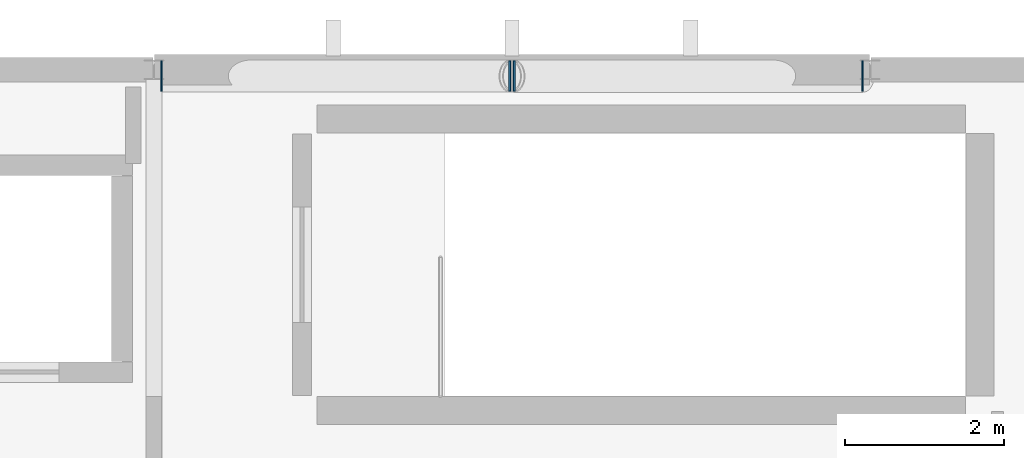
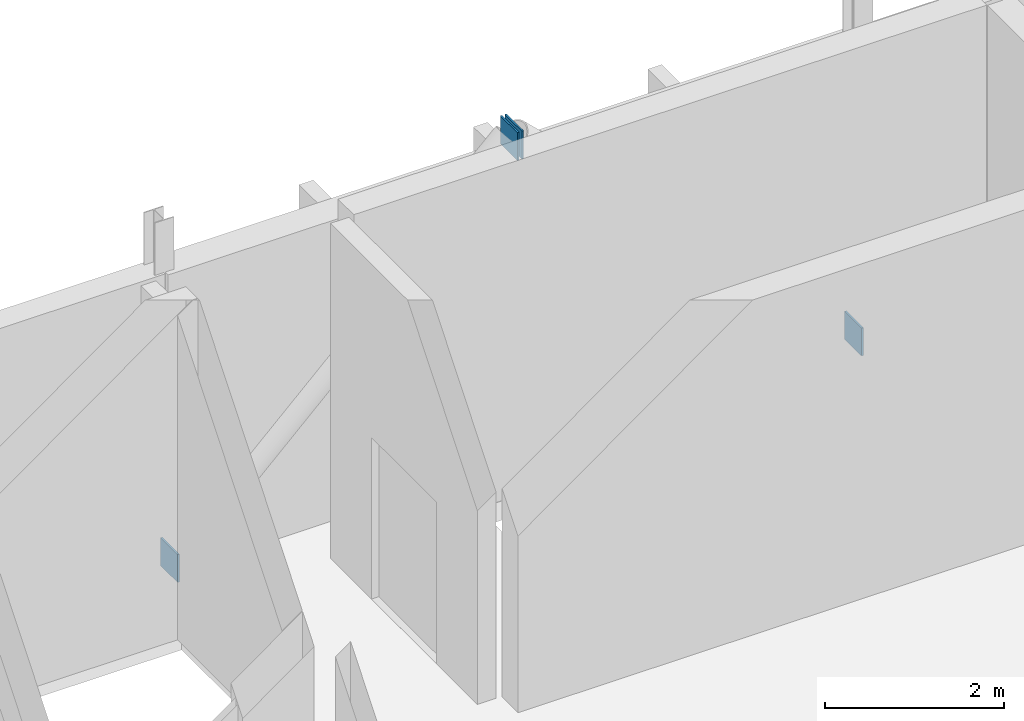
# One storey, part 10 of 14: 4 plates.
"""IFC4 building model written with IfcOpenShell, lengths in metres."""

from ifc_helpers import new_model, si_unit, direction, frame, origin, origin_2d, place, context, subcontext, project, spatial, rectangle, extrude, material, layer, layer_set, type_object, element, save


model = new_model("IFC4")

# Units and contexts
model_context = context("Model", 3, precision=1e-05, world=origin(), true_north=direction((0.0, 1.0)))
body_context = subcontext(model_context, "Body", "Model", "MODEL_VIEW")
ifc_project = project(units=[si_unit("LENGTHUNIT", "METRE"), si_unit("AREAUNIT", "SQUARE_METRE"), si_unit("VOLUMEUNIT", "CUBIC_METRE"), si_unit("PLANEANGLEUNIT", "RADIAN"), si_unit("MASSUNIT", "GRAM", prefix="KILO")], contexts=[model_context])

# Site, building, storey
site_placement = place(None, origin())
site = spatial("IfcSite", under=ifc_project, at=site_placement, CompositionType="ELEMENT")
building_placement = place(site_placement, origin())
building = spatial("IfcBuilding", under=site, at=building_placement, Name="Shengluoqiao Park Theatre", CompositionType="ELEMENT")
storey_placement = place(building_placement, frame((0.0, 0.0, 23.800048828125)))
storey = spatial("IfcBuildingStorey", under=building, at=storey_placement, Name="L05", CompositionType="ELEMENT", Elevation=23.800048828125)

# Plates
ifc_material = material(Name="Steel Q390", Category="steel")
ifc_layer = layer(ifc_material, 0.02392578125, Name="Steel Q390")
ifc_layer_set = layer_set([ifc_layer], Name="Steel Q390")
plate_type = type_object("IfcPlateType", Name="STR-PLT-EC-360", PredefinedType="SHEET", material=ifc_layer_set)
for number, where, z_axis, x_axis, name in (
    (1, (130.49658203125, 113.919921875, -0.07763671875), (0.0, 0.0, 1.0), (1.0, 0.0, 0.0), "Hollow Tube End Cap Plate 00164"),
    (2, (134.87109375, 113.919921875, 4.1337890625), (0.0, 0.0, 1.0), (1.0, 0.0, 0.0), "Hollow Tube End Cap Plate 00165"),
    (3, (139.303466796875, 113.919921875, -0.07763671875), (0.0, 0.0, 1.0), (-1.0, 0.0, 0.0), "Hollow Tube End Cap Plate 00166"),
    (4, (134.928955078125, 113.919921875, 4.1337890625), (0.0, 0.0, 1.0), (-1.0, 0.0, 0.0), "Hollow Tube End Cap Plate 00167"),
):
    element("IfcPlate", number, at=place(storey_placement, frame(where, z_axis=z_axis, x_axis=x_axis)), inside=storey, type_object=plate_type, Name=name, PredefinedType="SHEET", context=body_context, shape_type="SweptSolid", body=[
        extrude(rectangle(XDim=0.02392578125, YDim=0.3798828125, at=origin_2d()), origin(), (0.0, 0.0, 1.0), 0.3798828125),
    ])

save(model, "model.ifc")
